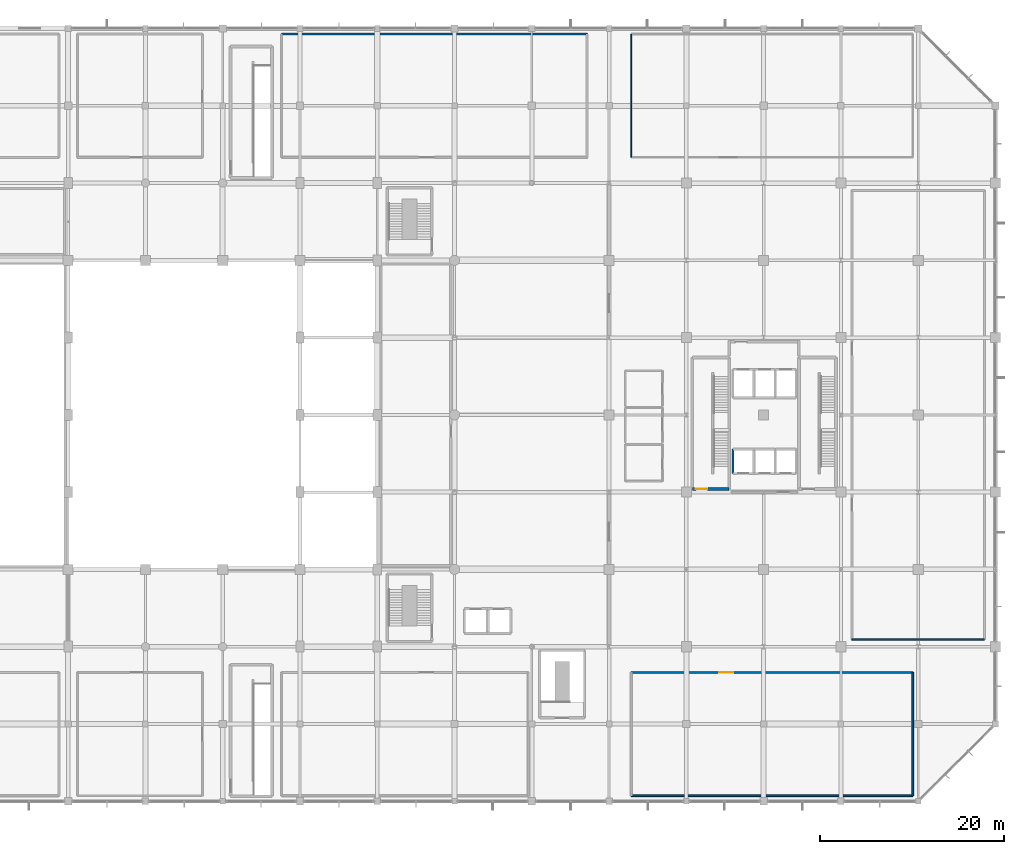
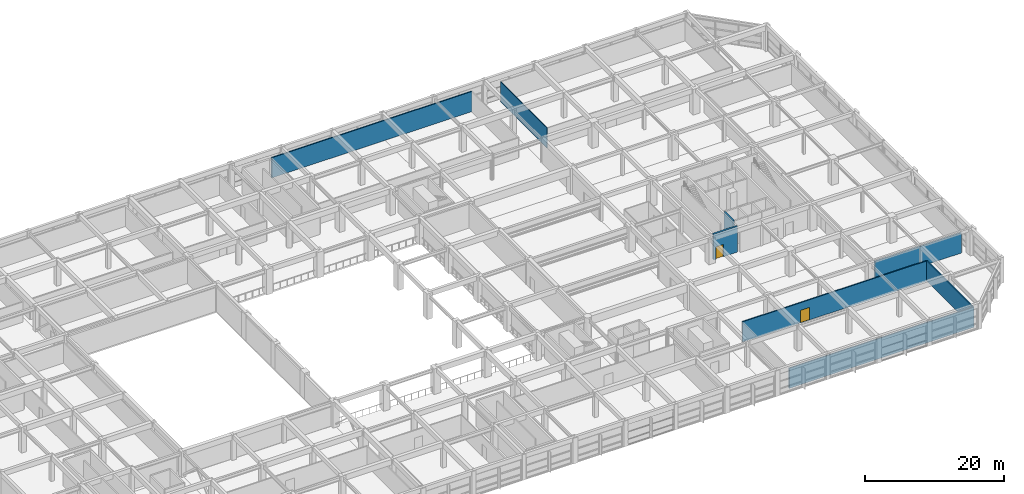
# One storey, part 46 of 56: 8 walls, 2 doors, 2 openings.
"""IFC4 building model written with IfcOpenShell, lengths in metres."""

from ifc_helpers import new_model, si_unit, direction, frame, frame_2d, origin, place, context, subcontext, project, spatial, rectangle, extrude, material, layer, layer_set, type_object, element, fill, save


model = new_model("IFC4")

# Units and contexts
model_context = context("Model", 3, precision=1e-05, world=origin(), true_north=direction((0.0, 1.0)))
body_context = subcontext(model_context, "Body", "Model", "MODEL_VIEW")
ifc_project = project(units=[si_unit("LENGTHUNIT", "METRE"), si_unit("AREAUNIT", "SQUARE_METRE"), si_unit("VOLUMEUNIT", "CUBIC_METRE"), si_unit("PLANEANGLEUNIT", "RADIAN"), si_unit("MASSUNIT", "GRAM", prefix="KILO")], contexts=[model_context])

# Site, building, storey
site_placement = place(None, origin())
site = spatial("IfcSite", under=ifc_project, at=site_placement, CompositionType="ELEMENT")
building_placement = place(site_placement, origin())
building = spatial("IfcBuilding", under=site, at=building_placement, Name="Xuanlan Plaza Opera House", CompositionType="ELEMENT")
storey_placement = place(building_placement, frame((0.0, 0.0, 18.89990234375)))
storey = spatial("IfcBuildingStorey", under=building, at=storey_placement, Name="L04", CompositionType="ELEMENT", Elevation=18.89990234375)

# Walls
ifc_material_1 = material(Name="Gypsum Board and Galvanised Steel Studs", Category="gypsum")
ifc_layer_1 = layer(ifc_material_1, 0.179931640625)
ifc_layer_set_1 = layer_set([ifc_layer_1], Name="Gypsum Board and Galvanised Steel Studs")
wall_type_1 = type_object("IfcWallType", Name="INT-WL-PW-02", PredefinedType="PARTITIONING", material=ifc_layer_set_1)
wall_1_placement = place(storey_placement, frame((152.39990234375, 34.39990234375, 0.0), z_axis=(0.0, 0.0, 1.0), x_axis=(1.0, 0.0, 0.0)))
element("IfcWall", 1, at=wall_1_placement, inside=storey, type_object=wall_type_1, Name="Performing Arts Administration Office Wall South", PredefinedType="PARTITIONING", context=body_context, shape_type="SweptSolid", body=[
    extrude(rectangle(XDim=14.400146484375, YDim=0.179931640625, at=frame_2d((7.2001953125, 0.0))), origin(), (0.0, 0.0, 1.0), 3.5400390625),
])
wall_2_placement = place(storey_placement, frame((90.39990234375, 100.199951171875, 0.0), z_axis=(0.0, 0.0, 1.0), x_axis=(1.0, 0.0, 0.0)))
element("IfcWall", 2, at=wall_2_placement, inside=storey, type_object=wall_type_1, Name="Cultural Programme Office Wall North", PredefinedType="PARTITIONING", context=body_context, shape_type="SweptSolid", body=[
    extrude(rectangle(XDim=33.2001953125, YDim=0.179931640625, at=frame_2d((16.60009765625, 0.0))), origin(), (0.0, 0.0, 1.0), 3.5400390625),
])
wall_3_placement = place(storey_placement, frame((128.39990234375, 17.39990234375, 0.0), z_axis=(0.0, 0.0, 1.0), x_axis=(1.0, 0.0, 0.0)))
element("IfcWall", 3, at=wall_3_placement, inside=storey, type_object=wall_type_1, Name="Performing Arts Foundation Archive Wall South", PredefinedType="PARTITIONING", context=body_context, shape_type="SweptSolid", body=[
    extrude(rectangle(XDim=30.60009765625, YDim=0.179931640625, at=frame_2d((15.300048828125, 0.0))), origin(), (0.0, 0.0, 1.0), 3.5400390625),
])

# Wall, opening, door
wall_4_placement = place(storey_placement, frame((128.39990234375, 30.800048828125, 0.0), z_axis=(0.0, 0.0, 1.0), x_axis=(1.0, 0.0, 0.0)))
wall_4 = element("IfcWall", 4, at=wall_4_placement, inside=storey, type_object=wall_type_1, Name="Performing Arts Foundation Archive Wall North", PredefinedType="PARTITIONING", context=body_context, shape_type="SweptSolid", body=[
    extrude(rectangle(XDim=30.60009765625, YDim=0.179931640625, at=frame_2d((15.300048828125, 0.0))), origin(), (0.0, 0.0, 1.0), 3.5400390625),
])
opening_1_placement = place(wall_4_placement, frame((9.60009765625, 0.0, 0.0)))
opening_1 = element("IfcOpeningElement", 5, at=opening_1_placement, cuts=wall_4, Name="Opening D-03", PredefinedType="OPENING", context=body_context, shape_type="SweptSolid", body=[
    extrude(rectangle(XDim=1.5, YDim=2.199951171875, at=frame_2d((0.75, 1.10009765625))), frame((0.0, 0.099853515625, 0.0), z_axis=(0.0, -1.0, 0.0), x_axis=(1.0, 0.0, 0.0)), (0.0, 0.0, 1.0), 0.199951171875),
])
ifc_material_2 = material(Name="Walnut Hardwood Timber", Category="wood")
door_type_1 = type_object("IfcDoorType", Name="INT-DR-D-03", OperationType="DOUBLE_DOOR_SINGLE_SWING", PredefinedType="DOOR", material=ifc_material_2)
door_1_placement = place(opening_1_placement, origin())
door_1 = element("IfcDoor", 6, at=door_1_placement, inside=storey, type_object=door_type_1, Name="Performing Arts Foundation Archive Door 1", OperationType="DOUBLE_DOOR_SINGLE_SWING", OverallHeight=2.199951171875, OverallWidth=1.5, PredefinedType="DOOR", context=body_context, shape_type="SweptSolid", body=[
    extrude(rectangle(XDim=1.5, YDim=2.199951171875, at=frame_2d((0.75, 1.10009765625))), frame((0.0, 0.02490234375, 0.0), z_axis=(0.0, -1.0, 0.0), x_axis=(1.0, 0.0, 0.0)), (0.0, 0.0, 1.0), 0.050048828125),
])
fill(opening_1, door_1)

# Walls
wall_5_placement = place(storey_placement, frame((159.0, 17.39990234375, 0.0), z_axis=(0.0, 0.0, 1.0), x_axis=(0.0, 1.0, 0.0)))
element("IfcWall", 7, at=wall_5_placement, inside=storey, type_object=wall_type_1, Name="Performing Arts Foundation Archive Wall East", PredefinedType="PARTITIONING", context=body_context, shape_type="SweptSolid", body=[
    extrude(rectangle(XDim=13.400146484375, YDim=0.179931640625, at=frame_2d((6.7001953125, 0.0))), origin(), (0.0, 0.0, 1.0), 3.5400390625),
])
ifc_layer_2 = layer(ifc_material_1, 0.1201171875)
ifc_layer_set_2 = layer_set([ifc_layer_2], Name="Gypsum Board and Galvanised Steel Studs")
wall_type_2 = type_object("IfcWallType", Name="INT-WL-PW-04", PredefinedType="PARTITIONING", material=ifc_layer_set_2)
wall_6_placement = place(storey_placement, frame((128.39990234375, 86.800048828125, 0.0), z_axis=(0.0, 0.0, 1.0), x_axis=(0.0, 1.0, 0.0)))
element("IfcWall", 8, at=wall_6_placement, inside=storey, type_object=wall_type_2, Name="Arts Endowment Archive Wall West", PredefinedType="PARTITIONING", context=body_context, shape_type="SweptSolid", body=[
    extrude(rectangle(XDim=13.39990234375, YDim=0.1201171875, at=frame_2d((6.699951171875, 0.0))), origin(), (0.0, 0.0, 1.0), 3.5400390625),
])
ifc_material_3 = material(Name="Concrete C40", Category="concrete")
ifc_layer_3 = layer(ifc_material_3, 0.25)
ifc_layer_set_3 = layer_set([ifc_layer_3], Name="Concrete C40")
wall_type_3 = type_object("IfcWallType", Name="INT-WL-SW-LF1", PredefinedType="SHEAR", material=ifc_layer_set_3)
wall_7_placement = place(storey_placement, frame((139.47509765625, 52.425048828125, 0.0), z_axis=(0.0, 0.0, 1.0), x_axis=(0.0, 1.0, 0.0)))
element("IfcWall", 9, at=wall_7_placement, inside=storey, type_object=wall_type_3, Name="Lift Shaft Wall LF-P1 L04 West", PredefinedType="SHEAR", context=body_context, shape_type="SweptSolid", body=[
    extrude(rectangle(XDim=2.64990234375, YDim=0.25, at=frame_2d((1.324951171875, 0.0))), origin(), (0.0, 0.0, 1.0), 4.239990234375),
])

# Wall, opening, door
ifc_layer_4 = layer(ifc_material_3, 0.300048828125)
ifc_layer_set_4 = layer_set([ifc_layer_4], Name="Concrete C40")
wall_type_4 = type_object("IfcWallType", Name="INT-WL-SW-ST1", PredefinedType="SHEAR", material=ifc_layer_set_4)
wall_8_placement = place(storey_placement, frame((135.050048828125, 50.75, 0.0), z_axis=(0.0, 0.0, 1.0), x_axis=(1.0, 0.0, 0.0)))
wall_8 = element("IfcWall", 10, at=wall_8_placement, inside=storey, type_object=wall_type_4, Name="Stair Core Wall ST-T1 L04 South", PredefinedType="SHEAR", context=body_context, shape_type="SweptSolid", body=[
    extrude(rectangle(XDim=4.0, YDim=0.300048828125, at=frame_2d((2.0, 0.0))), origin(), (0.0, 0.0, 1.0), 4.5),
])
opening_2_placement = place(wall_8_placement, frame((0.375, 0.0, 0.0)))
opening_2 = element("IfcOpeningElement", 11, at=opening_2_placement, cuts=wall_8, Name="Opening FD-ST1", PredefinedType="OPENING", context=body_context, shape_type="SweptSolid", body=[
    extrude(rectangle(XDim=1.25, YDim=2.14990234375, at=frame_2d((0.625, 1.074951171875))), frame((0.0, 0.159912109375, 0.0), z_axis=(0.0, -1.0, 0.0), x_axis=(1.0, 0.0, 0.0)), (0.0, 0.0, 1.0), 0.320068359375),
])
ifc_material_4 = material(Name="Galvanised Steel Q235B", Category="steel")
door_type_2 = type_object("IfcDoorType", Name="INT-DR-FD-ST1", OperationType="NOTDEFINED", PredefinedType="DOOR", material=ifc_material_4)
door_2_placement = place(opening_2_placement, origin())
door_2 = element("IfcDoor", 12, at=door_2_placement, inside=storey, type_object=door_type_2, Name="Stair Enclosure Fire Door ST-T1 L04", OperationType="SINGLE_SWING_LEFT", OverallHeight=2.14990234375, OverallWidth=1.25, PredefinedType="DOOR", context=body_context, shape_type="SweptSolid", body=[
    extrude(rectangle(XDim=1.25, YDim=2.14990234375, at=frame_2d((0.625, 1.074951171875))), frame((0.0, 0.02490234375, 0.0), z_axis=(0.0, -1.0, 0.0), x_axis=(1.0, 0.0, 0.0)), (0.0, 0.0, 1.0), 0.050048828125),
])
fill(opening_2, door_2)

save(model, "model.ifc")
